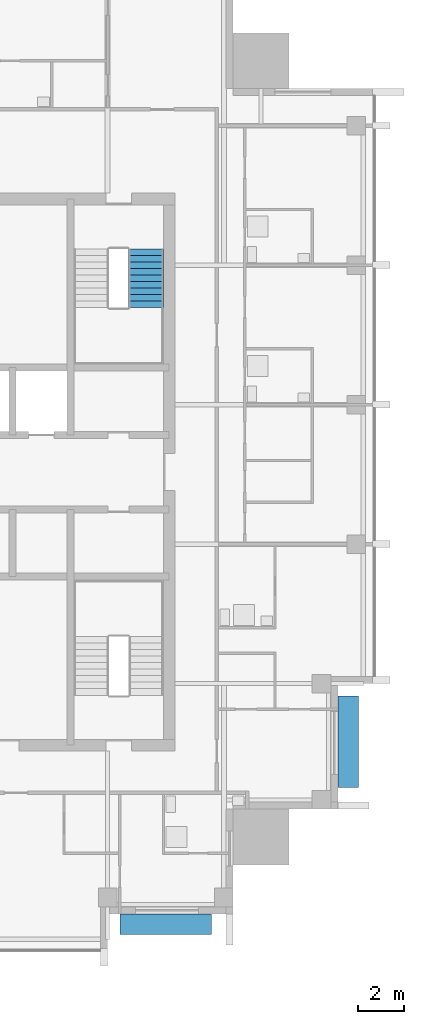
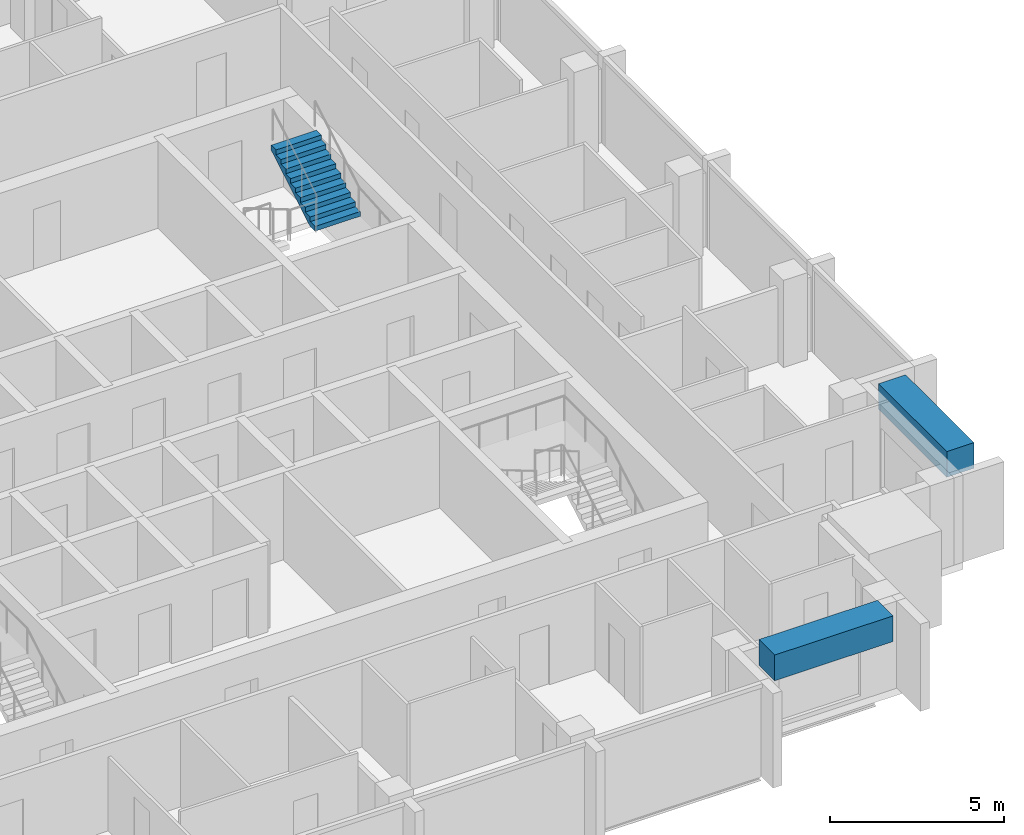
# One storey, part 8 of 10: 2 discrete accessories, 1 stair flight, 1 element without a shape of its own.
"""IFC4 building model written with IfcOpenShell, lengths in metres."""

from ifc_helpers import new_model, si_unit, direction, frame, origin, origin_2d, place, context, subcontext, project, spatial, polyline, rectangle, outline, extrude, material, type_object, element, aggregate, save


model = new_model("IFC4")

# Units and contexts
model_context = context("Model", 3, precision=1e-05, world=origin(), true_north=direction((0.0, 1.0)))
body_context = subcontext(model_context, "Body", "Model", "MODEL_VIEW")
ifc_project = project(units=[si_unit("LENGTHUNIT", "METRE"), si_unit("AREAUNIT", "SQUARE_METRE"), si_unit("VOLUMEUNIT", "CUBIC_METRE"), si_unit("PLANEANGLEUNIT", "RADIAN"), si_unit("MASSUNIT", "GRAM", prefix="KILO")], contexts=[model_context])

# Site, building, storey
site_placement = place(None, origin())
site = spatial("IfcSite", under=ifc_project, at=site_placement, CompositionType="ELEMENT")
building_placement = place(site_placement, origin())
building = spatial("IfcBuilding", under=site, at=building_placement, Name="Amberfall Residences", CompositionType="ELEMENT")
storey_placement = place(building_placement, frame((0.0, 0.0, 275.199951171875)))
storey = spatial("IfcBuildingStorey", under=building, at=storey_placement, Name="L74", CompositionType="ELEMENT", Elevation=275.199951171875)

# Stair, stair flight
ifc_material = material(Name="Concrete C40", Category="concrete")
stair_type = type_object("IfcStairType", Name="Exit stair 20 risers 165.0 mm", PredefinedType="HALF_TURN_STAIR", material=ifc_material)
stair_placement = place(storey_placement, origin())
stair = element("IfcStair", 1, at=stair_placement, inside=storey, type_object=stair_type, Name="L74 Exit stair 3", PredefinedType="HALF_TURN_STAIR")
stair_flight_type = type_object("IfcStairFlightType", Name="Stair flight 10 risers 165.0 mm", PredefinedType="STRAIGHT", material=ifc_material)
stair_flight_placement = place(storey_placement, frame((85.25, 52.580078125, 1.650146484375), z_axis=(0.0, 0.0, 1.0), x_axis=(0.0, 1.0, 0.0)))
stair_flight = element("IfcStairFlight", 2, at=stair_flight_placement, type_object=stair_flight_type, Name="ST3 flight 2", NumberOfRisers=10, NumberOfTreads=9, PredefinedType="STRAIGHT", RiserHeight=0.165, TreadLength=0.28, context=body_context, shape_type="SweptSolid", body=[
    extrude(outline(polyline([(0.0, 0.0), (0.0, 0.1650390625), (0.280029296875, 0.1650390625), (0.280029296875, 0.330078125), (0.56005859375, 0.330078125), (0.56005859375, 0.4951171875), (0.840087890625, 0.4951171875), (0.840087890625, 0.659912109375), (1.1201171875, 0.659912109375), (1.1201171875, 0.824951171875), (1.39990234375, 0.824951171875), (1.39990234375, 0.989990234375), (1.679931640625, 0.989990234375), (1.679931640625, 1.155029296875), (1.9599609375, 1.155029296875), (1.9599609375, 1.320068359375), (2.239990234375, 1.320068359375), (2.239990234375, 1.485107421875), (2.52001953125, 1.485107421875), (2.52001953125, 1.64990234375), (2.52001953125, 1.31103515625), (0.295166015625, 0.0), (0.0, 0.0)])), frame((0.0, 0.75, 0.0), z_axis=(0.0, -1.0, 0.0), x_axis=(1.0, 0.0, 0.0)), (0.0, 0.0, 1.0), 1.5),
])
aggregate(stair, [stair_flight])

# Discrete accessories
for number, where, z_axis, x_axis, name in (
    (3, (86.10009765625, 26.050048828125, 2.400146484375), (0.0, 0.0, 1.0), (1.0, 0.0, 0.0), "Planter box L75 S3"),
    (4, (93.949951171875, 33.89990234375, 2.400146484375), (0.0, 0.0, 1.0), (0.0, 1.0, 0.0), "Planter box L75 E1"),
):
    element("IfcDiscreteAccessory", number, at=place(storey_placement, frame(where, z_axis=z_axis, x_axis=x_axis)), inside=storey, Name=name, ObjectType="PLANTER BOX", PredefinedType="USERDEFINED", context=body_context, shape_type="SweptSolid", body=[
        extrude(rectangle(XDim=3.919921875, YDim=0.89990234375, at=origin_2d()), origin(), (0.0, 0.0, 1.0), 0.89990234375),
    ])

save(model, "model.ifc")
